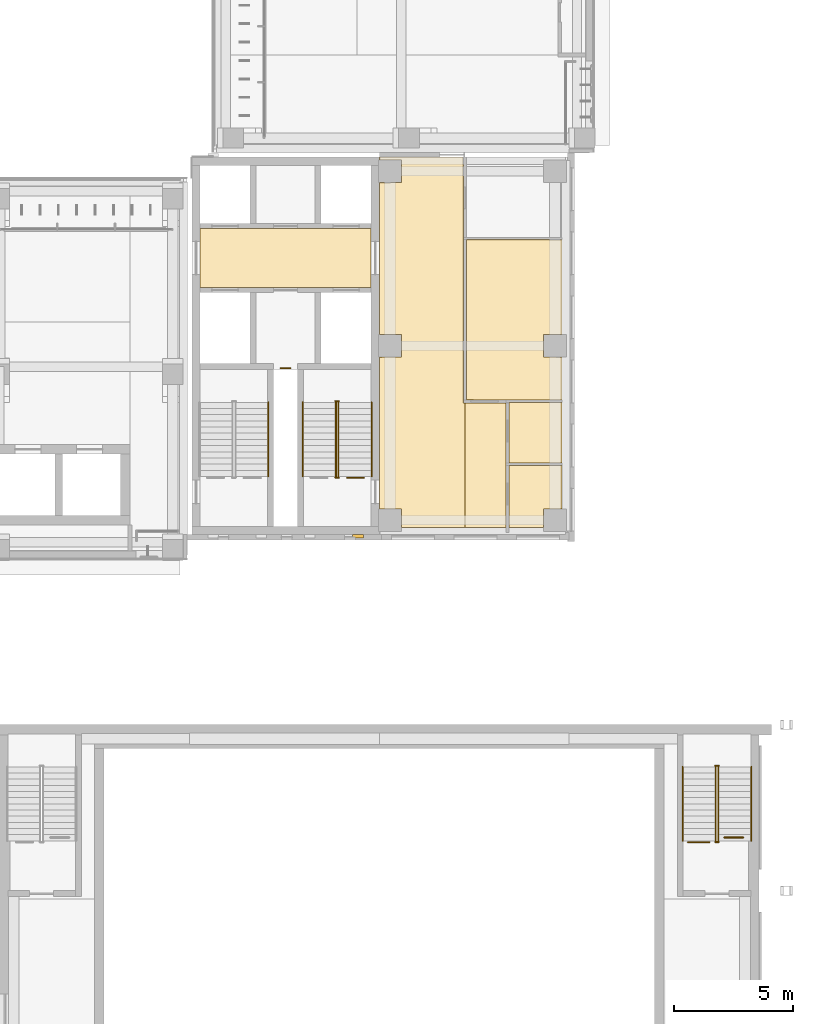
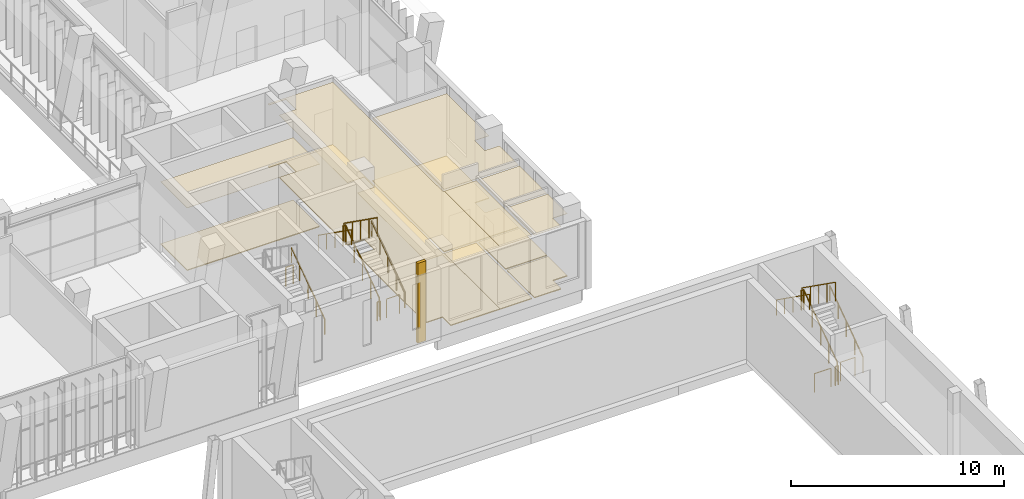
# One storey, part 78 of 92: 17 railings, 13 coverings.
"""IFC4 building model written with IfcOpenShell, lengths in metres."""

from ifc_helpers import new_model, si_unit, direction, frame, frame_2d, origin, origin_2d, place, context, subcontext, project, spatial, polyline, rectangle, circle, outline, extrude, material, layer, layer_set, type_object, element, save


model = new_model("IFC4")

# Units and contexts
model_context = context("Model", 3, precision=1e-05, world=origin(), true_north=direction((0.0, 1.0)))
body_context = subcontext(model_context, "Body", "Model", "MODEL_VIEW")
ifc_project = project(units=[si_unit("LENGTHUNIT", "METRE"), si_unit("AREAUNIT", "SQUARE_METRE"), si_unit("VOLUMEUNIT", "CUBIC_METRE"), si_unit("PLANEANGLEUNIT", "RADIAN"), si_unit("MASSUNIT", "GRAM", prefix="KILO")], contexts=[model_context])

# Site, building, storey
site_placement = place(None, origin())
site = spatial("IfcSite", under=ifc_project, at=site_placement, CompositionType="ELEMENT")
building_placement = place(site_placement, origin())
building = spatial("IfcBuilding", under=site, at=building_placement, Name="Lantern Court Media Centre", CompositionType="ELEMENT")
storey_placement = place(building_placement, frame((0.0, 0.0, 4.800048828125)))
storey = spatial("IfcBuildingStorey", under=building, at=storey_placement, Name="L01", CompositionType="ELEMENT", Elevation=4.800048828125)

# Coverings
ifc_material_1 = material(Name="Carpet")
ifc_layer_1 = layer(ifc_material_1, 0.050048828125)
ifc_layer_set_1 = layer_set([ifc_layer_1], Name="Carpet")
covering_type_1 = type_object("IfcCoveringType", Name="Carpet floor finish", PredefinedType="FLOORING", material=ifc_layer_set_1)
covering_1_placement = place(storey_placement, origin())
element("IfcCovering", 1, at=covering_1_placement, inside=storey, type_object=covering_type_1, Name="Exhibition Gallery floor finish", PredefinedType="FLOORING", context=body_context, shape_type="SweptSolid", body=[
    extrude(outline(polyline([(95.699951171875, 53.6689453125), (91.66748046875, 53.681396484375), (91.66748046875, 60.416015625), (95.699951171875, 60.416015625), (95.699951171875, 56.429931640625), (94.919921875, 56.425048828125), (94.921142578125, 55.471923828125), (95.699951171875, 55.469970703125), (95.699951171875, 53.6689453125)])), origin(), (0.0, 0.0, 1.0), 0.050048828125),
])
covering_2_placement = place(storey_placement, origin())
element("IfcCovering", 2, at=covering_2_placement, inside=storey, type_object=covering_type_1, Name="WC Male floor finish", PredefinedType="FLOORING", context=body_context, shape_type="SweptSolid", body=[
    extrude(outline(polyline([(95.699951171875, 49.080078125), (94.92138671875, 49.07861328125), (94.919921875, 48.300048828125), (93.467529296875, 48.300048828125), (93.467529296875, 50.902099609375), (95.699951171875, 50.902099609375), (95.699951171875, 49.080078125)])), origin(), (0.0, 0.0, 1.0), 0.050048828125),
])
covering_3_placement = place(storey_placement, origin())
element("IfcCovering", 3, at=covering_3_placement, inside=storey, type_object=covering_type_1, Name="WC Female floor finish", PredefinedType="FLOORING", context=body_context, shape_type="SweptSolid", body=[
    extrude(outline(polyline([(95.699951171875, 51.011962890625), (93.467529296875, 51.011962890625), (93.467529296875, 53.55908203125), (95.699951171875, 53.55908203125), (95.699951171875, 51.011962890625)])), origin(), (0.0, 0.0, 1.0), 0.050048828125),
])

# Railings
ifc_material_2 = material(Name="Powder-coated steel", Category="steel")
railing_type_1 = type_object("IfcRailingType", Name="Floor edge guard 1100", PredefinedType="GUARDRAIL", material=ifc_material_2)
railing_1_placement = place(storey_placement, frame((87.35009765625, 50.390380859375, 0.0)))
element("IfcRailing", 4, at=railing_1_placement, inside=storey, type_object=railing_type_1, Name="L01 opening guard 47", PredefinedType="GUARDRAIL", context=body_context, shape_type="SweptSolid", body=[
    extrude(circle(Radius=0.02392578125, at=origin_2d()), frame((0.0, 0.0, 1.076171875), z_axis=(-1.0, 0.0, 0.0), x_axis=(0.0, -1.0, 0.0)), (0.0, 0.0, 1.0), 0.703857421875),
    extrude(circle(Radius=0.02099609375, at=origin_2d()), origin(), (0.0, 0.0, 1.0), 1.052001953125),
    extrude(circle(Radius=0.02099609375, at=origin_2d()), frame((-0.703857421875, 0.0, 0.0)), (0.0, 0.0, 1.0), 1.052001953125),
])
railing_2_placement = place(storey_placement, frame((83.85009765625, 55.010009765625, 0.0)))
element("IfcRailing", 5, at=railing_2_placement, inside=storey, type_object=railing_type_1, Name="L01 opening guard 51", PredefinedType="GUARDRAIL", context=body_context, shape_type="SweptSolid", body=[
    extrude(circle(Radius=0.02392578125, at=origin_2d()), frame((0.0, 0.0, 1.076171875), z_axis=(1.0, 0.0, 0.0), x_axis=(0.0, 1.0, 0.0)), (0.0, 0.0, 1.0), 0.39990234375),
    extrude(circle(Radius=0.02099609375, at=origin_2d()), origin(), (0.0, 0.0, 1.0), 1.052001953125),
    extrude(circle(Radius=0.02099609375, at=origin_2d()), frame((0.39990234375, 0.0, 0.0)), (0.0, 0.0, 1.0), 1.052001953125),
])
railing_3_placement = place(storey_placement, frame((101.0009765625, 35.0400390625, 0.0)))
element("IfcRailing", 6, at=railing_3_placement, inside=storey, type_object=railing_type_1, Name="L01 edge guard 33", PredefinedType="GUARDRAIL", context=body_context, shape_type="SweptSolid", body=[
    extrude(circle(Radius=0.02392578125, at=origin_2d()), frame((0.0, 0.0, 1.076171875), z_axis=(1.0, 0.0, 0.0), x_axis=(0.0, 1.0, 0.0)), (0.0, 0.0, 1.0), 0.89990234375),
    extrude(circle(Radius=0.02099609375, at=origin_2d()), origin(), (0.0, 0.0, 1.0), 1.052001953125),
    extrude(circle(Radius=0.02099609375, at=origin_2d()), frame((0.89990234375, 0.0, 0.0)), (0.0, 0.0, 1.0), 1.052001953125),
])
railing_4_placement = place(storey_placement, frame((102.531005859375, 35.239990234375, 0.0)))
element("IfcRailing", 7, at=railing_4_placement, inside=storey, type_object=railing_type_1, Name="L01 edge guard 34", PredefinedType="GUARDRAIL", context=body_context, shape_type="SweptSolid", body=[
    extrude(circle(Radius=0.02392578125, at=origin_2d()), frame((0.0, 0.0, 1.076171875), z_axis=(1.0, 0.0, 0.0), x_axis=(0.0, 1.0, 0.0)), (0.0, 0.0, 1.0), 0.800048828125),
    extrude(circle(Radius=0.02099609375, at=origin_2d()), origin(), (0.0, 0.0, 1.0), 1.052001953125),
    extrude(circle(Radius=0.02099609375, at=origin_2d()), frame((0.800048828125, 0.0, 0.0)), (0.0, 0.0, 1.0), 1.052001953125),
])

# Covering
ifc_material_3 = material(Name="Honed limestone cladding", Category="masonry")
ifc_layer_2 = layer(ifc_material_3, 0.14990234375)
ifc_layer_set_2 = layer_set([ifc_layer_2], Name="Honed limestone cladding")
covering_type_2 = type_object("IfcCoveringType", Name="Limestone pilaster cladding 150", PredefinedType="CLADDING", material=ifc_layer_set_2)
covering_4_placement = place(storey_placement, frame((86.875, 47.925048828125, 0.0), z_axis=(0.0, 0.0, 1.0), x_axis=(1.0, 0.0, 0.0)))
element("IfcCovering", 8, at=covering_4_placement, inside=storey, type_object=covering_type_2, Name="Limestone pilaster rib", PredefinedType="CLADDING", context=body_context, shape_type="SweptSolid", body=[
    extrude(rectangle(XDim=0.449951171875, YDim=0.14990234375, at=frame_2d((0.22509765625, 0.0))), origin(), (0.0, 0.0, 1.0), 4.579833984375),
])

# Railings
railing_type_2 = type_object("IfcRailingType", Name="Stair guard 1100", PredefinedType="GUARDRAIL", material=ifc_material_2)
railing_5_placement = place(storey_placement, frame((86.27587890625, 50.449951171875, 0.1845703125)))
element("IfcRailing", 9, at=railing_5_placement, inside=storey, type_object=railing_type_2, Name="L01 ST-SEA stair guard 1", PredefinedType="GUARDRAIL", context=body_context, shape_type="SweptSolid", body=[
    extrude(circle(Radius=0.02392578125, at=origin_2d()), frame((0.0, 0.0, 1.076171875), z_axis=(0.0, 0.815376961211, 0.578930402662), x_axis=(-1.0, 0.0, 0.0)), (0.0, 0.0, 1.0), 3.82666015625),
    extrude(circle(Radius=0.02099609375, at=origin_2d()), origin(), (0.0, 0.0, 1.0), 1.052001953125),
    extrude(circle(Radius=0.02099609375, at=origin_2d()), frame((0.0, 0.780029296875, 0.5537109375)), (0.0, 0.0, 1.0), 1.052001953125),
    extrude(circle(Radius=0.02099609375, at=origin_2d()), frame((0.0, 1.56005859375, 1.107666015625)), (0.0, 0.0, 1.0), 1.052001953125),
    extrude(circle(Radius=0.02099609375, at=origin_2d()), frame((0.0, 2.340087890625, 1.66162109375)), (0.0, 0.0, 1.0), 1.052001953125),
    extrude(circle(Radius=0.02099609375, at=origin_2d()), frame((0.0, 3.1201171875, 2.21533203125)), (0.0, 0.0, 1.0), 1.052001953125),
])
railing_6_placement = place(storey_placement, frame((86.300048828125, 53.6201171875, 2.39990234375)))
element("IfcRailing", 10, at=railing_6_placement, inside=storey, type_object=railing_type_2, Name="L01 ST-SEA stair guard 2", PredefinedType="GUARDRAIL", context=body_context, shape_type="SweptSolid", body=[
    extrude(circle(Radius=0.02392578125, at=origin_2d()), frame((0.0, 0.0, 1.076171875), z_axis=(-1.0, 0.0, 0.0), x_axis=(0.0, -1.0, 0.0)), (0.0, 0.0, 1.0), 0.150146484375),
    extrude(circle(Radius=0.02099609375, at=origin_2d()), origin(), (0.0, 0.0, 1.0), 1.052001953125),
    extrude(circle(Radius=0.02099609375, at=origin_2d()), frame((-0.150146484375, 0.0, 0.0)), (0.0, 0.0, 1.0), 1.052001953125),
])
railing_7_placement = place(storey_placement, frame((86.174072265625, 53.570068359375, 2.58447265625)))
element("IfcRailing", 11, at=railing_7_placement, inside=storey, type_object=railing_type_2, Name="L01 ST-SEA stair guard 3", PredefinedType="GUARDRAIL", context=body_context, shape_type="SweptSolid", body=[
    extrude(circle(Radius=0.02392578125, at=origin_2d()), frame((0.0, 0.0, 1.076171875), z_axis=(0.0, -0.815346844174, 0.578972817752), x_axis=(1.0, 0.0, 0.0)), (0.0, 0.0, 1.0), 3.82666015625),
    extrude(circle(Radius=0.02099609375, at=origin_2d()), origin(), (0.0, 0.0, 1.0), 1.052001953125),
    extrude(circle(Radius=0.02099609375, at=origin_2d()), frame((0.0, -0.780029296875, 0.553955078125)), (0.0, 0.0, 1.0), 1.052001953125),
    extrude(circle(Radius=0.02099609375, at=origin_2d()), frame((0.0, -1.56005859375, 1.10791015625)), (0.0, 0.0, 1.0), 1.052001953125),
    extrude(circle(Radius=0.02099609375, at=origin_2d()), frame((0.0, -2.340087890625, 1.66162109375)), (0.0, 0.0, 1.0), 1.052001953125),
    extrude(circle(Radius=0.02099609375, at=origin_2d()), frame((0.0, -3.1201171875, 2.215576171875)), (0.0, 0.0, 1.0), 1.052001953125),
])
railing_8_placement = place(storey_placement, frame((86.300048828125, 50.39990234375, 0.0)))
element("IfcRailing", 12, at=railing_8_placement, inside=storey, type_object=railing_type_2, Name="L01 ST-SEA stair guard 4", PredefinedType="GUARDRAIL", context=body_context, shape_type="SweptSolid", body=[
    extrude(circle(Radius=0.02392578125, at=origin_2d()), frame((0.0, 0.0, 1.076171875), z_axis=(-1.0, 0.0, 0.0), x_axis=(0.0, -1.0, 0.0)), (0.0, 0.0, 1.0), 0.150146484375),
    extrude(circle(Radius=0.02099609375, at=origin_2d()), origin(), (0.0, 0.0, 1.0), 1.052001953125),
    extrude(circle(Radius=0.02099609375, at=origin_2d()), frame((-0.150146484375, 0.0, 0.0)), (0.0, 0.0, 1.0), 1.052001953125),
])
railing_9_placement = place(storey_placement, frame((102.27587890625, 35.10009765625, 0.1845703125)))
element("IfcRailing", 13, at=railing_9_placement, inside=storey, type_object=railing_type_2, Name="L01 ST-V2-ST-E stair guard 1", PredefinedType="GUARDRAIL", context=body_context, shape_type="SweptSolid", body=[
    extrude(circle(Radius=0.02392578125, at=origin_2d()), frame((0.0, 0.0, 1.076171875), z_axis=(0.0, 0.815355575968, 0.57896052088), x_axis=(-1.0, 0.0, 0.0)), (0.0, 0.0, 1.0), 3.826416015625),
    extrude(circle(Radius=0.02099609375, at=origin_2d()), origin(), (0.0, 0.0, 1.0), 1.052001953125),
    extrude(circle(Radius=0.02099609375, at=origin_2d()), frame((0.0, 0.780029296875, 0.5537109375)), (0.0, 0.0, 1.0), 1.052001953125),
    extrude(circle(Radius=0.02099609375, at=origin_2d()), frame((0.0, 1.56005859375, 1.107666015625)), (0.0, 0.0, 1.0), 1.052001953125),
    extrude(circle(Radius=0.02099609375, at=origin_2d()), frame((0.0, 2.33984375, 1.66162109375)), (0.0, 0.0, 1.0), 1.052001953125),
    extrude(circle(Radius=0.02099609375, at=origin_2d()), frame((0.0, 3.119873046875, 2.21533203125)), (0.0, 0.0, 1.0), 1.052001953125),
])
railing_10_placement = place(storey_placement, frame((102.300048828125, 38.27001953125, 2.39990234375)))
element("IfcRailing", 14, at=railing_10_placement, inside=storey, type_object=railing_type_2, Name="L01 ST-V2-ST-E stair guard 2", PredefinedType="GUARDRAIL", context=body_context, shape_type="SweptSolid", body=[
    extrude(circle(Radius=0.02392578125, at=origin_2d()), frame((0.0, 0.0, 1.076171875), z_axis=(-1.0, 0.0, 0.0), x_axis=(0.0, -1.0, 0.0)), (0.0, 0.0, 1.0), 0.150146484375),
    extrude(circle(Radius=0.02099609375, at=origin_2d()), origin(), (0.0, 0.0, 1.0), 1.052001953125),
    extrude(circle(Radius=0.02099609375, at=origin_2d()), frame((-0.150146484375, 0.0, 0.0)), (0.0, 0.0, 1.0), 1.052001953125),
])
railing_11_placement = place(storey_placement, frame((102.174072265625, 38.219970703125, 2.58447265625)))
element("IfcRailing", 15, at=railing_11_placement, inside=storey, type_object=railing_type_2, Name="L01 ST-V2-ST-E stair guard 3", PredefinedType="GUARDRAIL", context=body_context, shape_type="SweptSolid", body=[
    extrude(circle(Radius=0.02392578125, at=origin_2d()), frame((0.0, 0.0, 1.076171875), z_axis=(0.0, -0.815325456587, 0.579002935952), x_axis=(1.0, 0.0, 0.0)), (0.0, 0.0, 1.0), 3.826416015625),
    extrude(circle(Radius=0.02099609375, at=origin_2d()), origin(), (0.0, 0.0, 1.0), 1.052001953125),
    extrude(circle(Radius=0.02099609375, at=origin_2d()), frame((0.0, -0.780029296875, 0.553955078125)), (0.0, 0.0, 1.0), 1.052001953125),
    extrude(circle(Radius=0.02099609375, at=origin_2d()), frame((0.0, -1.56005859375, 1.10791015625)), (0.0, 0.0, 1.0), 1.052001953125),
    extrude(circle(Radius=0.02099609375, at=origin_2d()), frame((0.0, -2.33984375, 1.66162109375)), (0.0, 0.0, 1.0), 1.052001953125),
    extrude(circle(Radius=0.02099609375, at=origin_2d()), frame((0.0, -3.119873046875, 2.215576171875)), (0.0, 0.0, 1.0), 1.052001953125),
])
railing_12_placement = place(storey_placement, frame((102.300048828125, 35.050048828125, 0.0)))
element("IfcRailing", 16, at=railing_12_placement, inside=storey, type_object=railing_type_2, Name="L01 ST-V2-ST-E stair guard 4", PredefinedType="GUARDRAIL", context=body_context, shape_type="SweptSolid", body=[
    extrude(circle(Radius=0.02392578125, at=origin_2d()), frame((0.0, 0.0, 1.076171875), z_axis=(-1.0, 0.0, 0.0), x_axis=(0.0, -1.0, 0.0)), (0.0, 0.0, 1.0), 0.150146484375),
    extrude(circle(Radius=0.02099609375, at=origin_2d()), origin(), (0.0, 0.0, 1.0), 1.052001953125),
    extrude(circle(Radius=0.02099609375, at=origin_2d()), frame((-0.150146484375, 0.0, 0.0)), (0.0, 0.0, 1.0), 1.052001953125),
])
railing_type_3 = type_object("IfcRailingType", Name="Stair handrail 900", PredefinedType="HANDRAIL", material=ifc_material_2)
railing_13_placement = place(storey_placement, frame((87.674072265625, 50.449951171875, 0.1845703125)))
element("IfcRailing", 17, at=railing_13_placement, inside=storey, type_object=railing_type_3, Name="L01 ST-SEA stair handrail 1", PredefinedType="HANDRAIL", context=body_context, shape_type="SweptSolid", body=[
    extrude(circle(Radius=0.02392578125, at=origin_2d()), frame((0.0, 0.0, 0.8759765625), z_axis=(0.0, 0.815376961211, 0.578930402662), x_axis=(-1.0, 0.0, 0.0)), (0.0, 0.0, 1.0), 3.82666015625),
    extrude(circle(Radius=0.02099609375, at=origin_2d()), origin(), (0.0, 0.0, 1.0), 0.851806640625),
    extrude(circle(Radius=0.02099609375, at=origin_2d()), frame((0.0, 0.780029296875, 0.5537109375)), (0.0, 0.0, 1.0), 0.851806640625),
    extrude(circle(Radius=0.02099609375, at=origin_2d()), frame((0.0, 1.56005859375, 1.107666015625)), (0.0, 0.0, 1.0), 0.851806640625),
    extrude(circle(Radius=0.02099609375, at=origin_2d()), frame((0.0, 2.340087890625, 1.66162109375)), (0.0, 0.0, 1.0), 0.851806640625),
    extrude(circle(Radius=0.02099609375, at=origin_2d()), frame((0.0, 3.1201171875, 2.21533203125)), (0.0, 0.0, 1.0), 0.851806640625),
])
railing_14_placement = place(storey_placement, frame((84.77587890625, 53.570068359375, 2.58447265625)))
element("IfcRailing", 18, at=railing_14_placement, inside=storey, type_object=railing_type_3, Name="L01 ST-SEA stair handrail 2", PredefinedType="HANDRAIL", context=body_context, shape_type="SweptSolid", body=[
    extrude(circle(Radius=0.02392578125, at=origin_2d()), frame((0.0, 0.0, 0.8759765625), z_axis=(0.0, -0.815346844174, 0.578972817752), x_axis=(1.0, 0.0, 0.0)), (0.0, 0.0, 1.0), 3.82666015625),
    extrude(circle(Radius=0.02099609375, at=origin_2d()), origin(), (0.0, 0.0, 1.0), 0.851806640625),
    extrude(circle(Radius=0.02099609375, at=origin_2d()), frame((0.0, -0.780029296875, 0.553955078125)), (0.0, 0.0, 1.0), 0.851806640625),
    extrude(circle(Radius=0.02099609375, at=origin_2d()), frame((0.0, -1.56005859375, 1.10791015625)), (0.0, 0.0, 1.0), 0.851806640625),
    extrude(circle(Radius=0.02099609375, at=origin_2d()), frame((0.0, -2.340087890625, 1.66162109375)), (0.0, 0.0, 1.0), 0.851806640625),
    extrude(circle(Radius=0.02099609375, at=origin_2d()), frame((0.0, -3.1201171875, 2.215576171875)), (0.0, 0.0, 1.0), 0.851806640625),
])
railing_15_placement = place(storey_placement, frame((83.323974609375, 50.449951171875, 0.1845703125)))
element("IfcRailing", 19, at=railing_15_placement, inside=storey, type_object=railing_type_3, Name="L01 ST-SEB stair handrail 1", PredefinedType="HANDRAIL", context=body_context, shape_type="SweptSolid", body=[
    extrude(circle(Radius=0.02392578125, at=origin_2d()), frame((0.0, 0.0, 0.8759765625), z_axis=(0.0, 0.815376961211, 0.578930402662), x_axis=(-1.0, 0.0, 0.0)), (0.0, 0.0, 1.0), 3.82666015625),
    extrude(circle(Radius=0.02099609375, at=origin_2d()), origin(), (0.0, 0.0, 1.0), 0.851806640625),
    extrude(circle(Radius=0.02099609375, at=origin_2d()), frame((0.0, 0.780029296875, 0.5537109375)), (0.0, 0.0, 1.0), 0.851806640625),
    extrude(circle(Radius=0.02099609375, at=origin_2d()), frame((0.0, 1.56005859375, 1.107666015625)), (0.0, 0.0, 1.0), 0.851806640625),
    extrude(circle(Radius=0.02099609375, at=origin_2d()), frame((0.0, 2.340087890625, 1.66162109375)), (0.0, 0.0, 1.0), 0.851806640625),
    extrude(circle(Radius=0.02099609375, at=origin_2d()), frame((0.0, 3.1201171875, 2.21533203125)), (0.0, 0.0, 1.0), 0.851806640625),
])
railing_16_placement = place(storey_placement, frame((103.674072265625, 35.10009765625, 0.1845703125)))
element("IfcRailing", 20, at=railing_16_placement, inside=storey, type_object=railing_type_3, Name="L01 ST-V2-ST-E stair handrail 1", PredefinedType="HANDRAIL", context=body_context, shape_type="SweptSolid", body=[
    extrude(circle(Radius=0.02392578125, at=origin_2d()), frame((0.0, 0.0, 0.8759765625), z_axis=(0.0, 0.815355575968, 0.57896052088), x_axis=(-1.0, 0.0, 0.0)), (0.0, 0.0, 1.0), 3.826416015625),
    extrude(circle(Radius=0.02099609375, at=origin_2d()), origin(), (0.0, 0.0, 1.0), 0.851806640625),
    extrude(circle(Radius=0.02099609375, at=origin_2d()), frame((0.0, 0.780029296875, 0.5537109375)), (0.0, 0.0, 1.0), 0.851806640625),
    extrude(circle(Radius=0.02099609375, at=origin_2d()), frame((0.0, 1.56005859375, 1.107666015625)), (0.0, 0.0, 1.0), 0.851806640625),
    extrude(circle(Radius=0.02099609375, at=origin_2d()), frame((0.0, 2.33984375, 1.66162109375)), (0.0, 0.0, 1.0), 0.851806640625),
    extrude(circle(Radius=0.02099609375, at=origin_2d()), frame((0.0, 3.119873046875, 2.21533203125)), (0.0, 0.0, 1.0), 0.851806640625),
])
railing_17_placement = place(storey_placement, frame((100.77587890625, 38.219970703125, 2.58447265625)))
element("IfcRailing", 21, at=railing_17_placement, inside=storey, type_object=railing_type_3, Name="L01 ST-V2-ST-E stair handrail 2", PredefinedType="HANDRAIL", context=body_context, shape_type="SweptSolid", body=[
    extrude(circle(Radius=0.02392578125, at=origin_2d()), frame((0.0, 0.0, 0.8759765625), z_axis=(0.0, -0.815325456587, 0.579002935952), x_axis=(1.0, 0.0, 0.0)), (0.0, 0.0, 1.0), 3.826416015625),
    extrude(circle(Radius=0.02099609375, at=origin_2d()), origin(), (0.0, 0.0, 1.0), 0.851806640625),
    extrude(circle(Radius=0.02099609375, at=origin_2d()), frame((0.0, -0.780029296875, 0.553955078125)), (0.0, 0.0, 1.0), 0.851806640625),
    extrude(circle(Radius=0.02099609375, at=origin_2d()), frame((0.0, -1.56005859375, 1.10791015625)), (0.0, 0.0, 1.0), 0.851806640625),
    extrude(circle(Radius=0.02099609375, at=origin_2d()), frame((0.0, -2.33984375, 1.66162109375)), (0.0, 0.0, 1.0), 0.851806640625),
    extrude(circle(Radius=0.02099609375, at=origin_2d()), frame((0.0, -3.119873046875, 2.215576171875)), (0.0, 0.0, 1.0), 0.851806640625),
])

# Coverings
ifc_material_4 = material(Name="Mineral fibre ceiling tile")
ifc_layer_3 = layer(ifc_material_4, 0.02001953125)
ifc_layer_set_3 = layer_set([ifc_layer_3], Name="Mineral fibre ceiling tile")
covering_type_3 = type_object("IfcCoveringType", Name="Suspended ceiling tile", PredefinedType="CEILING", material=ifc_layer_set_3)
covering_5_placement = place(storey_placement, frame((0.0, 0.0, 3.599853515625)))
element("IfcCovering", 22, at=covering_5_placement, inside=storey, type_object=covering_type_3, Name="Lift Lobby ceiling", PredefinedType="CEILING", context=body_context, shape_type="SweptSolid", body=[
    extrude(outline(polyline([(80.450439453125, 58.400390625), (80.450439453125, 60.8994140625), (87.6494140625, 60.8994140625), (87.6494140625, 58.400390625), (80.450439453125, 58.400390625)])), origin(), (0.0, 0.0, 1.0), 0.02001953125),
])
covering_6_placement = place(storey_placement, frame((0.0, 0.0, 3.599853515625)))
element("IfcCovering", 23, at=covering_6_placement, inside=storey, type_object=covering_type_3, Name="Corridor ceiling", PredefinedType="CEILING", context=body_context, shape_type="SweptSolid", body=[
    extrude(outline(polyline([(91.60009765625, 48.300048828125), (88.925537109375, 48.300048828125), (88.92529296875, 49.075439453125), (88.00048828125, 49.075439453125), (88.00048828125, 55.474609375), (88.925537109375, 55.47509765625), (88.92529296875, 56.42529296875), (88.00048828125, 56.425537109375), (88.00048828125, 62.824462890625), (88.92529296875, 62.82470703125), (88.925537109375, 63.775146484375), (88.00048828125, 63.775390625), (88.00048828125, 63.8994140625), (91.537109375, 63.8994140625), (91.537109375, 53.551513671875), (91.60009765625, 53.551025390625), (91.60009765625, 48.300048828125)])), origin(), (0.0, 0.0, 1.0), 0.02001953125),
])
covering_7_placement = place(storey_placement, frame((0.0, 0.0, 3.599853515625)))
element("IfcCovering", 24, at=covering_7_placement, inside=storey, type_object=covering_type_3, Name="Exhibition Gallery ceiling", PredefinedType="CEILING", context=body_context, shape_type="SweptSolid", body=[
    extrude(outline(polyline([(95.699951171875, 53.66455078125), (91.6630859375, 53.677001953125), (91.6630859375, 60.42041015625), (95.699951171875, 60.42041015625), (95.699951171875, 56.425537109375), (94.924560546875, 56.425048828125), (94.924560546875, 55.474609375), (95.699951171875, 55.474609375), (95.699951171875, 53.66455078125)])), origin(), (0.0, 0.0, 1.0), 0.02001953125),
])
covering_8_placement = place(storey_placement, frame((0.0, 0.0, 3.599853515625)))
element("IfcCovering", 25, at=covering_8_placement, inside=storey, type_object=covering_type_3, Name="WC Lobby ceiling", PredefinedType="CEILING", context=body_context, shape_type="SweptSolid", body=[
    extrude(outline(polyline([(91.60009765625, 48.300048828125), (91.60009765625, 53.551025390625), (93.3369140625, 53.551025390625), (93.3369140625, 48.300048828125), (91.60009765625, 48.300048828125)])), origin(), (0.0, 0.0, 1.0), 0.02001953125),
])
covering_9_placement = place(storey_placement, frame((0.0, 0.0, 3.599853515625)))
element("IfcCovering", 26, at=covering_9_placement, inside=storey, type_object=covering_type_3, Name="WC Male ceiling", PredefinedType="CEILING", context=body_context, shape_type="SweptSolid", body=[
    extrude(outline(polyline([(95.699951171875, 49.075439453125), (94.924560546875, 49.075439453125), (94.924560546875, 48.300048828125), (93.462890625, 48.300048828125), (93.462890625, 50.906494140625), (95.699951171875, 50.906494140625), (95.699951171875, 49.075439453125)])), origin(), (0.0, 0.0, 1.0), 0.02001953125),
])
covering_10_placement = place(storey_placement, frame((0.0, 0.0, 3.599853515625)))
element("IfcCovering", 27, at=covering_10_placement, inside=storey, type_object=covering_type_3, Name="WC Female ceiling", PredefinedType="CEILING", context=body_context, shape_type="SweptSolid", body=[
    extrude(outline(polyline([(95.699951171875, 51.007568359375), (93.462890625, 51.007568359375), (93.462890625, 53.5634765625), (95.699951171875, 53.5634765625), (95.699951171875, 51.007568359375)])), origin(), (0.0, 0.0, 1.0), 0.02001953125),
])
ifc_material_5 = material(Name="Terrazzo")
ifc_layer_4 = layer(ifc_material_5, 0.050048828125)
ifc_layer_set_4 = layer_set([ifc_layer_4], Name="Terrazzo")
covering_type_4 = type_object("IfcCoveringType", Name="Terrazzo floor finish", PredefinedType="FLOORING", material=ifc_layer_set_4)
covering_11_placement = place(storey_placement, origin())
element("IfcCovering", 28, at=covering_11_placement, inside=storey, type_object=covering_type_4, Name="Lift Lobby floor finish", PredefinedType="FLOORING", context=body_context, shape_type="SweptSolid", body=[
    extrude(outline(polyline([(80.455078125, 58.405029296875), (80.455078125, 60.89501953125), (87.64501953125, 60.89501953125), (87.64501953125, 58.405029296875), (80.455078125, 58.405029296875)])), origin(), (0.0, 0.0, 1.0), 0.050048828125),
])
covering_12_placement = place(storey_placement, origin())
element("IfcCovering", 29, at=covering_12_placement, inside=storey, type_object=covering_type_4, Name="Corridor floor finish", PredefinedType="FLOORING", context=body_context, shape_type="SweptSolid", body=[
    extrude(outline(polyline([(91.60009765625, 48.300048828125), (88.929931640625, 48.300048828125), (88.92822265625, 49.078857421875), (88.0048828125, 49.080078125), (88.0048828125, 55.469970703125), (88.929931640625, 55.47509765625), (88.928466796875, 56.428466796875), (88.0048828125, 56.429931640625), (88.0048828125, 62.820068359375), (88.928466796875, 62.821533203125), (88.929931640625, 63.775390625), (88.0048828125, 63.780029296875), (88.0048828125, 63.89501953125), (91.532470703125, 63.89501953125), (91.532470703125, 53.551513671875), (91.60009765625, 53.54638671875), (91.60009765625, 48.300048828125)])), origin(), (0.0, 0.0, 1.0), 0.050048828125),
])
covering_13_placement = place(storey_placement, origin())
element("IfcCovering", 30, at=covering_13_placement, inside=storey, type_object=covering_type_4, Name="WC Lobby floor finish", PredefinedType="FLOORING", context=body_context, shape_type="SweptSolid", body=[
    extrude(outline(polyline([(91.60009765625, 48.300048828125), (91.60009765625, 53.54638671875), (93.33251953125, 53.54638671875), (93.33251953125, 48.300048828125), (91.60009765625, 48.300048828125)])), origin(), (0.0, 0.0, 1.0), 0.050048828125),
])

save(model, "model.ifc")
